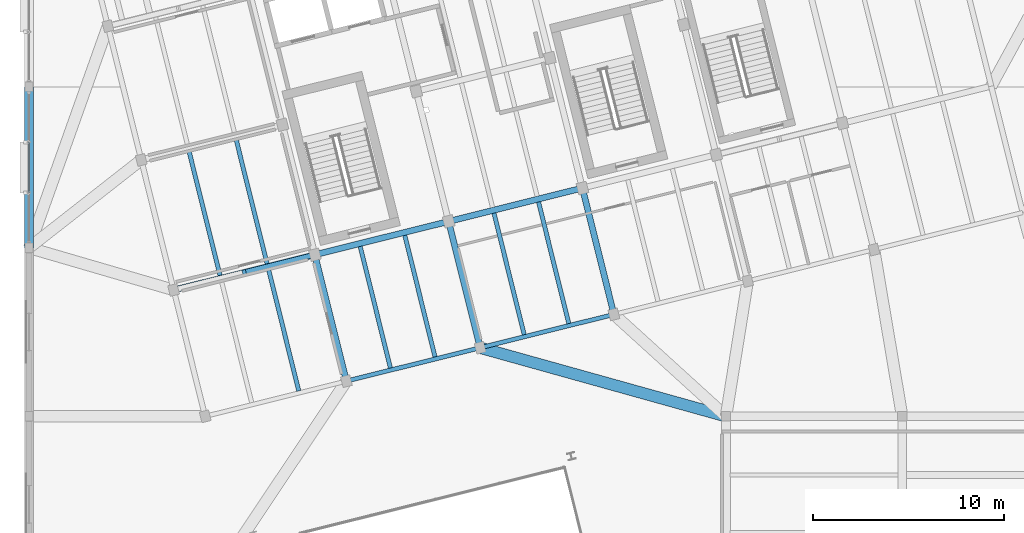
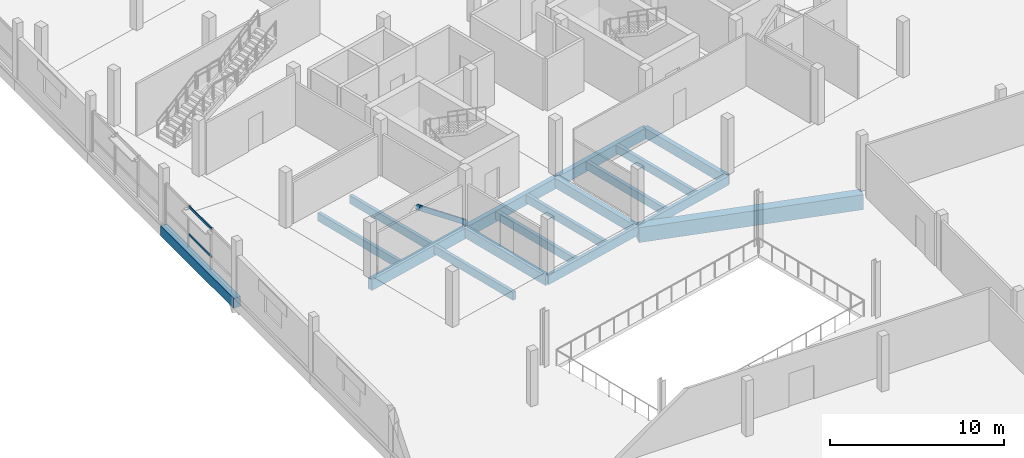
# One storey, part 19 of 62: 17 beams, 3 members, 1 element without a shape of its own.
"""IFC4 building model written with IfcOpenShell, lengths in metres."""

from ifc_helpers import new_model, si_unit, direction, frame, origin, origin_2d, place, context, subcontext, project, spatial, rectangle, hollow_rectangle, extrude, material, layer, layer_set, material_profile, profile_set, type_object, element, aggregate, save


model = new_model("IFC4")

# Units and contexts
model_context = context("Model", 3, precision=1e-05, world=origin(), true_north=direction((0.0, 1.0)))
body_context = subcontext(model_context, "Body", "Model", "MODEL_VIEW")
ifc_project = project(units=[si_unit("LENGTHUNIT", "METRE"), si_unit("AREAUNIT", "SQUARE_METRE"), si_unit("VOLUMEUNIT", "CUBIC_METRE"), si_unit("PLANEANGLEUNIT", "RADIAN"), si_unit("MASSUNIT", "GRAM", prefix="KILO")], contexts=[model_context])

# Site, building, storey
site_placement = place(None, origin())
site = spatial("IfcSite", under=ifc_project, at=site_placement, CompositionType="ELEMENT")
building_placement = place(site_placement, origin())
building = spatial("IfcBuilding", under=site, at=building_placement, Name="Meriwether Solvik Hall", CompositionType="ELEMENT")
storey_placement = place(building_placement, frame((0.0, 0.0, 14.39990234375)))
storey = spatial("IfcBuildingStorey", under=building, at=storey_placement, Name="L03", CompositionType="ELEMENT", Elevation=14.39990234375)

# Beams
ifc_material_1 = material(Name="Glulam Douglas-Fir 24F-V8 GL28h", Category="wood")
ifc_material_profile_1 = material_profile(ifc_material_1, rectangle(XDim=0.221923828125, YDim=0.64501953125, at=origin_2d()), Name="GLB-222X645")
ifc_profile_set_1 = profile_set([ifc_material_profile_1], Name="Glulam Douglas-Fir 24F-V8 GL28h")
beam_type_1 = type_object("IfcBeamType", Name="BM-GL-222X645", PredefinedType="SPANDREL", material=ifc_profile_set_1)
for number, where, z_axis, x_axis, name in (
    (1, (75.974365234375, 43.03857421875, -0.5673828125), (0.970291911955, 0.241937193493, 0.0), (-0.241937193493, 0.970291911955, 0.0), "Tower Girder TA:T2-T3 (L03)"),
    (2, (82.96044921875, 44.780517578125, -0.5673828125), (0.970299871507, 0.241905269381, 0.0), (-0.241905269381, 0.970299871507, 0.0), "Tower Girder TA:T3-T4 (L03)"),
):
    element("IfcBeam", number, at=place(storey_placement, frame(where, z_axis=z_axis, x_axis=x_axis)), inside=storey, type_object=beam_type_1, Name=name, PredefinedType="SPANDREL", context=body_context, shape_type="SweptSolid", body=[
        extrude(rectangle(XDim=0.221923828125, YDim=0.64501953125, at=origin_2d()), origin(), (0.0, 0.0, 1.0), 7.199951171875),
    ])
ifc_material_2 = material(Name="Glulam Douglas-Fir 24F-V8 GL28h", Category="wood")
ifc_material_profile_2 = material_profile(ifc_material_2, rectangle(XDim=0.31494140625, YDim=0.68505859375, at=origin_2d()), Name="GLB-315X685")
ifc_profile_set_2 = profile_set([ifc_material_profile_2], Name="Glulam Douglas-Fir 24F-V8 GL28h")
beam_type_2 = type_object("IfcBeamType", Name="BM-GL-315X685", PredefinedType="BEAM", material=ifc_profile_set_2)
beam_1_placement = place(storey_placement, frame((75.974365234375, 43.03857421875, -0.58740234375), z_axis=(-0.241944251278, 0.970290152106, 0.0), x_axis=(-0.970290152106, -0.241944251278, 0.0)))
element("IfcBeam", 3, at=beam_1_placement, inside=storey, type_object=beam_type_2, Name="Tower Girder T2:TA-TB (L03)", PredefinedType="BEAM", context=body_context, shape_type="SweptSolid", body=[
    extrude(rectangle(XDim=0.31494140625, YDim=0.68505859375, at=origin_2d()), origin(), (0.0, 0.0, 1.0), 6.80029296875),
])
beam_2_placement = place(storey_placement, frame((82.96044921875, 44.780517578125, -0.58740234375), z_axis=(-0.241918877831, 0.970296478685, 0.0), x_axis=(-0.970296478685, -0.241918877831, 0.0)))
element("IfcBeam", 4, at=beam_2_placement, inside=storey, type_object=beam_type_2, Name="Tower Girder T3:TA-TB (L03)", PredefinedType="BEAM", context=body_context, shape_type="SweptSolid", body=[
    extrude(rectangle(XDim=0.31494140625, YDim=0.68505859375, at=origin_2d()), origin(), (0.0, 0.0, 1.0), 6.7998046875),
])
beam_3_placement = place(storey_placement, frame((89.946533203125, 46.522216796875, -0.58740234375), z_axis=(-0.24191045034, 0.970298579828, 0.0), x_axis=(-0.970298579828, -0.24191045034, 0.0)))
element("IfcBeam", 5, at=beam_3_placement, inside=storey, type_object=beam_type_2, Name="Tower Girder T4:TA-TB (L03)", PredefinedType="BEAM", context=body_context, shape_type="SweptSolid", body=[
    extrude(rectangle(XDim=0.31494140625, YDim=0.68505859375, at=origin_2d()), origin(), (0.0, 0.0, 1.0), 6.800048828125),
])
ifc_material_3 = material(Name="Glulam Douglas-Fir 24F-V8 GL28h", Category="wood")
ifc_material_profile_3 = material_profile(ifc_material_3, rectangle(XDim=0.31494140625, YDim=0.760009765625, at=origin_2d()), Name="GLB-315X760")
ifc_profile_set_3 = profile_set([ifc_material_profile_3], Name="Glulam Douglas-Fir 24F-V8 GL28h")
beam_type_3 = type_object("IfcBeamType", Name="BM-GL-315X760", PredefinedType="BEAM", material=ifc_profile_set_3)
beam_4_placement = place(storey_placement, frame((66.954833984375, 47.798095703125, -0.625), z_axis=(0.970295366785, 0.241923337436, 0.0), x_axis=(-0.241923337436, 0.970295366785, 0.0)))
element("IfcBeam", 6, at=beam_4_placement, inside=storey, type_object=beam_type_3, Name="Tower Girder TB:T1-T2 (L03)", PredefinedType="BEAM", context=body_context, shape_type="SweptSolid", body=[
    extrude(rectangle(XDim=0.31494140625, YDim=0.760009765625, at=origin_2d()), origin(), (0.0, 0.0, 1.0), 7.60009765625),
])
beam_5_placement = place(storey_placement, frame((74.3291015625, 49.63671875, -0.625), z_axis=(0.970301855688, 0.241897310542, 0.0), x_axis=(-0.241897310542, 0.970301855688, 0.0)))
element("IfcBeam", 7, at=beam_5_placement, inside=storey, type_object=beam_type_3, Name="Tower Girder TB:T2-T3 (L03)", PredefinedType="BEAM", context=body_context, shape_type="SweptSolid", body=[
    extrude(rectangle(XDim=0.31494140625, YDim=0.760009765625, at=origin_2d()), origin(), (0.0, 0.0, 1.0), 7.2001953125),
])
beam_6_placement = place(storey_placement, frame((81.3154296875, 51.37841796875, -0.625), z_axis=(0.970291911955, 0.241937193493, 0.0), x_axis=(-0.241937193493, 0.970291911955, 0.0)))
element("IfcBeam", 8, at=beam_6_placement, inside=storey, type_object=beam_type_3, Name="Tower Girder TB:T3-T4 (L03)", PredefinedType="BEAM", context=body_context, shape_type="SweptSolid", body=[
    extrude(rectangle(XDim=0.31494140625, YDim=0.760009765625, at=origin_2d()), origin(), (0.0, 0.0, 1.0), 7.199951171875),
])
ifc_material_4 = material(Name="Concrete C40/50", Category="concrete")
ifc_material_profile_4 = material_profile(ifc_material_4, rectangle(XDim=0.449951171875, YDim=0.699951171875, at=origin_2d()), Name="RCB-450X700")
ifc_profile_set_4 = profile_set([ifc_material_profile_4], Name="Concrete C40/50")
beam_type_4 = type_object("IfcBeamType", Name="BM-RC-450X700", PredefinedType="BEAM", material=ifc_profile_set_4)
beam_7_placement = place(storey_placement, frame((59.39990234375, 50.0, -0.594970703125), z_axis=(0.0, 1.0, 0.0), x_axis=(-1.0, 0.0, 0.0)))
element("IfcBeam", 9, at=beam_7_placement, inside=storey, type_object=beam_type_4, Name="Podium Girder 7:F-G (L03)", PredefinedType="BEAM", context=body_context, shape_type="SweptSolid", body=[
    extrude(rectangle(XDim=0.449951171875, YDim=0.699951171875, at=origin_2d()), origin(), (0.0, 0.0, 1.0), 8.39990234375),
])
ifc_material_5 = material(Name="Concrete C40/50", Category="concrete")
ifc_material_profile_5 = material_profile(ifc_material_5, rectangle(XDim=0.60009765625, YDim=1.050048828125, at=origin_2d()), Name="RCB-600X1050")
ifc_profile_set_5 = profile_set([ifc_material_profile_5], Name="Concrete C40/50")
beam_type_5 = type_object("IfcBeamType", Name="BM-RC-600X1050", PredefinedType="BEAM", material=ifc_profile_set_5)
beam_8_placement = place(storey_placement, frame((82.96044921875, 44.780517578125, -0.77001953125), z_axis=(0.963246352106, -0.268619554676, 0.0), x_axis=(0.268619554676, 0.963246352106, 0.0)))
element("IfcBeam", 10, at=beam_8_placement, inside=storey, type_object=beam_type_5, Name="Diaphragm Collector Girder T3/TA-11/E (L03)", PredefinedType="BEAM", context=body_context, shape_type="SweptSolid", body=[
    extrude(rectangle(XDim=0.60009765625, YDim=1.050048828125, at=origin_2d()), origin(), (0.0, 0.0, 1.0), 13.32958984375),
])

# Curtain wall, members
ifc_material_6 = material(Name="Thermally Broken Anodised Aluminium 6063-T6 and Low-E Glass", Category="aluminium")
ifc_layer = layer(ifc_material_6, 0.179931640625)
ifc_layer_set = layer_set([ifc_layer], Name="Thermally Broken Anodised Aluminium 6063-T6 and Low-E Glass")
curtain_wall_type = type_object("IfcCurtainWallType", Name="CW-UNIT-E", PredefinedType="USERDEFINED", material=ifc_layer_set)
curtain_wall_placement = place(storey_placement, origin())
curtain_wall = element("IfcCurtainWall", 11, at=curtain_wall_placement, inside=storey, type_object=curtain_wall_type, Name="Curtain Wall wing_Y7_6_29 (L03)", ObjectType="UNITISED CURTAIN WALL", PredefinedType="USERDEFINED")
ifc_material_7 = material(Name="Anodised Aluminium 6063-T6", Category="aluminium")
ifc_material_profile_6 = material_profile(ifc_material_7, hollow_rectangle(XDim=0.070068359375, YDim=0.14990234375, WallThickness=0.0048828125, at=origin_2d()), Name="CWT-70X150")
ifc_profile_set_6 = profile_set([ifc_material_profile_6], Name="Anodised Aluminium 6063-T6")
member_type_1 = type_object("IfcMemberType", Name="CW-TRN-70X150", PredefinedType="USERDEFINED", material=ifc_profile_set_6)
member_1_placement = place(storey_placement, frame((59.39990234375, 52.886474609375, 0.856689453125), z_axis=(0.0, 1.0, 0.0), x_axis=(-1.0, 0.0, 0.0)))
member_1 = element("IfcMember", 12, at=member_1_placement, type_object=member_type_1, Name="Curtain Wall Transom 2-sill", ObjectType="TRANSOM", PredefinedType="USERDEFINED", context=body_context, shape_type="SweptSolid", body=[
    extrude(hollow_rectangle(XDim=0.070068359375, YDim=0.14990234375, WallThickness=0.0048828125, at=origin_2d()), origin(), (0.0, 0.0, 1.0), 2.626953125),
])
member_2_placement = place(storey_placement, frame((59.39990234375, 52.886474609375, 2.795166015625), z_axis=(0.0, 1.0, 0.0), x_axis=(-1.0, 0.0, 0.0)))
member_2 = element("IfcMember", 13, at=member_2_placement, type_object=member_type_1, Name="Curtain Wall Transom 2-head", ObjectType="TRANSOM", PredefinedType="USERDEFINED", context=body_context, shape_type="SweptSolid", body=[
    extrude(hollow_rectangle(XDim=0.070068359375, YDim=0.14990234375, WallThickness=0.0048828125, at=origin_2d()), origin(), (0.0, 0.0, 1.0), 2.626953125),
])
aggregate(curtain_wall, [member_1, member_2])

# Beams
ifc_material_8 = material(Name="Glulam Douglas-Fir 24F-V8 GL28h", Category="wood")
ifc_material_profile_7 = material_profile(ifc_material_8, rectangle(XDim=0.221923828125, YDim=0.570068359375, at=origin_2d()), Name="GLJ-222X570")
ifc_profile_set_7 = profile_set([ifc_material_profile_7], Name="Glulam Douglas-Fir 24F-V8 GL28h")
beam_type_6 = type_object("IfcBeamType", Name="JST-GL-222X570", PredefinedType="JOIST", material=ifc_profile_set_7)
beam_9_placement = place(storey_placement, frame((73.490478515625, 42.528564453125, -0.52978515625), z_axis=(-0.241920861923, 0.970295984, 0.0), x_axis=(-0.970295984, -0.241920861923, 0.0)))
element("IfcBeam", 14, at=beam_9_placement, inside=storey, type_object=beam_type_6, Name="Glulam Floor Joist T1/TA-J2 (L03)", PredefinedType="JOIST", context=body_context, shape_type="SweptSolid", body=[
    extrude(rectangle(XDim=0.221923828125, YDim=0.570068359375, at=origin_2d()), origin(), (0.0, 0.0, 1.0), 6.54150390625),
])
beam_10_placement = place(storey_placement, frame((69.3759765625, 48.558837890625, -0.52978515625), z_axis=(-0.241917792922, 0.970296749179, 0.0), x_axis=(-0.970296749179, -0.241917792922, 0.0)))
element("IfcBeam", 15, at=beam_10_placement, inside=storey, type_object=beam_type_6, Name="Glulam Floor Joist T1/TB-J1 (L03)", PredefinedType="JOIST", context=body_context, shape_type="SweptSolid", body=[
    extrude(rectangle(XDim=0.221923828125, YDim=0.570068359375, at=origin_2d()), origin(), (0.0, 0.0, 1.0), 6.695068359375),
])
beam_11_placement = place(storey_placement, frame((71.834228515625, 49.171630859375, -0.52978515625), z_axis=(-0.241909233393, 0.970298883231, 0.0), x_axis=(-0.970298883231, -0.241909233393, 0.0)))
element("IfcBeam", 16, at=beam_11_placement, inside=storey, type_object=beam_type_6, Name="Glulam Floor Joist T1/TB-J2 (L03)", PredefinedType="JOIST", context=body_context, shape_type="SweptSolid", body=[
    extrude(rectangle(XDim=0.221923828125, YDim=0.570068359375, at=origin_2d()), origin(), (0.0, 0.0, 1.0), 6.6953125),
])
for number, where, z_axis, x_axis, name in (
    (17, (78.27734375, 43.72216796875, -0.52978515625), (-0.241920861923, 0.970295984, 0.0), (-0.970295984, -0.241920861923, 0.0), "Glulam Floor Joist T2/TA-J1 (L03)"),
    (18, (80.60595703125, 44.302734375, -0.52978515625), (-0.241920861923, 0.970295984, 0.0), (-0.970295984, -0.241920861923, 0.0), "Glulam Floor Joist T2/TA-J2 (L03)"),
    (19, (85.263427734375, 45.4638671875, -0.52978515625), (-0.241920861923, 0.970295984, 0.0), (-0.970295984, -0.241920861923, 0.0), "Glulam Floor Joist T3/TA-J1 (L03)"),
    (20, (87.592041015625, 46.04443359375, -0.52978515625), (-0.241920861923, 0.970295984, 0.0), (-0.970295984, -0.241920861923, 0.0), "Glulam Floor Joist T3/TA-J2 (L03)"),
):
    element("IfcBeam", number, at=place(storey_placement, frame(where, z_axis=z_axis, x_axis=x_axis)), inside=storey, type_object=beam_type_6, Name=name, PredefinedType="JOIST", context=body_context, shape_type="SweptSolid", body=[
        extrude(rectangle(XDim=0.221923828125, YDim=0.570068359375, at=origin_2d()), origin(), (0.0, 0.0, 1.0), 6.54150390625),
    ])

# Member
ifc_material_9 = material(Name="Glulam Douglas-Fir 24F-V8 GL28h", Category="wood")
ifc_material_profile_8 = material_profile(ifc_material_9, rectangle(XDim=0.27294921875, YDim=0.304931640625, at=origin_2d()), Name="GLM-273X305")
ifc_profile_set_8 = profile_set([ifc_material_profile_8], Name="Glulam Douglas-Fir 24F-V8 GL28h")
member_type_2 = type_object("IfcMemberType", Name="MEM-BR-GL273", PredefinedType="BRACE", material=ifc_profile_set_8)
member_3_placement = place(storey_placement, frame((74.3291015625, 49.63671875, 0.050048828125), z_axis=(-0.772792109875, -0.192711898145, 0.604693706952), x_axis=(0.241961122321, -0.970285945114, 0.0)))
element("IfcMember", 21, at=member_3_placement, inside=storey, type_object=member_type_2, Name="Tower Chevron Brace L03-B1B", PredefinedType="BRACE", context=body_context, shape_type="SweptSolid", body=[
    extrude(rectangle(XDim=0.27294921875, YDim=0.304931640625, at=origin_2d()), origin(), (0.0, 0.0, 1.0), 4.77099609375),
])

save(model, "model.ifc")
